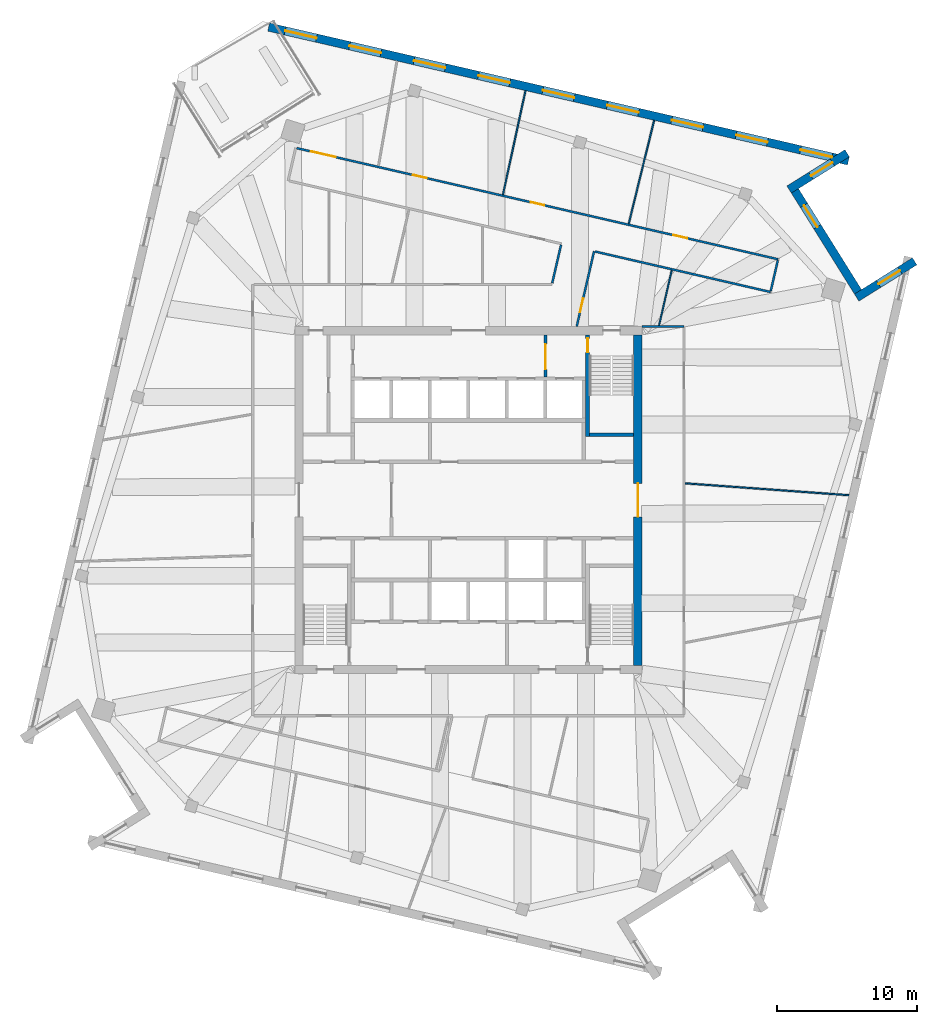
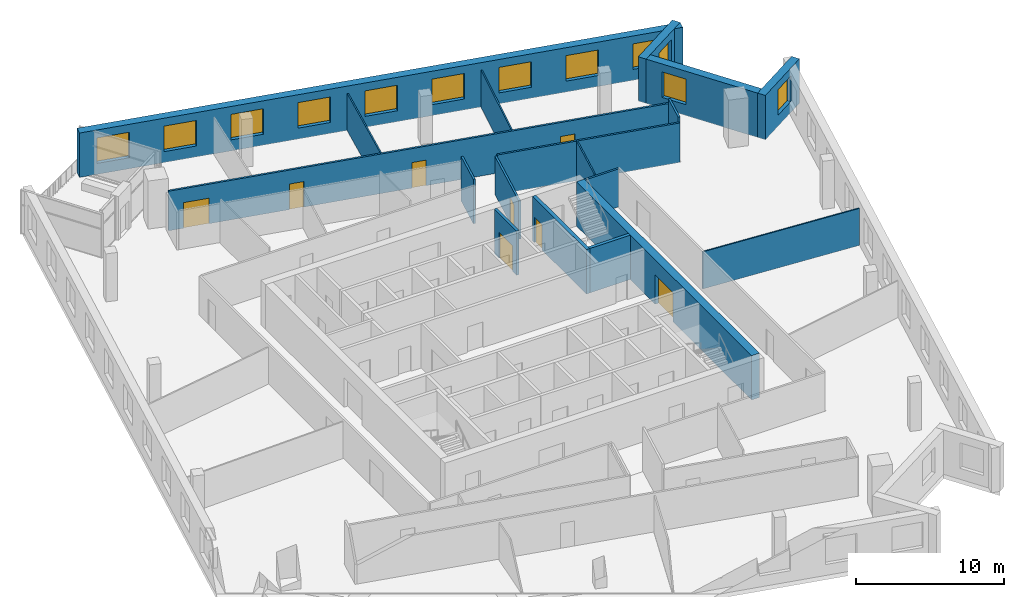
# One storey, part 10 of 14: 18 walls, 12 windows, 8 doors, 20 openings.
"""IFC4 building model written with IfcOpenShell, lengths in metres."""

from ifc_helpers import new_model, si_unit, direction, frame, frame_2d, origin, place, context, subcontext, project, spatial, rectangle, extrude, material, layer, layer_set, type_object, element, fill, save


model = new_model("IFC4")

# Units and contexts
model_context = context("Model", 3, precision=1e-05, world=origin(), true_north=direction((0.0, 1.0)))
body_context = subcontext(model_context, "Body", "Model", "MODEL_VIEW")
ifc_project = project(units=[si_unit("LENGTHUNIT", "METRE"), si_unit("AREAUNIT", "SQUARE_METRE"), si_unit("VOLUMEUNIT", "CUBIC_METRE"), si_unit("PLANEANGLEUNIT", "RADIAN"), si_unit("MASSUNIT", "GRAM", prefix="KILO")], contexts=[model_context])

# Site, building, storey
site_placement = place(None, origin())
site = spatial("IfcSite", under=ifc_project, at=site_placement, CompositionType="ELEMENT")
building_placement = place(site_placement, origin())
building = spatial("IfcBuilding", under=site, at=building_placement, Name="Dilmun Exchange Tower", CompositionType="ELEMENT")
storey_placement = place(building_placement, frame((0.0, 0.0, 332.5)))
storey = spatial("IfcBuildingStorey", under=building, at=storey_placement, Name="L79", CompositionType="ELEMENT", Elevation=332.5)

# Wall, opening, door
ifc_material_1 = material(Name="Concrete C40/50", Category="concrete")
ifc_layer_1 = layer(ifc_material_1, 0.199951171875)
ifc_layer_set_1 = layer_set([ifc_layer_1], Name="Concrete C40/50")
wall_type_1 = type_object("IfcWallType", Name="Core partition wall 200", PredefinedType="PARTITIONING", material=ifc_layer_set_1)
wall_1_placement = place(storey_placement, frame((5.5, 8.804931640625, 0.0), z_axis=(0.0, 0.0, 1.0), x_axis=(0.0, 1.0, 0.0)))
wall_1 = element("IfcWall", 1, at=wall_1_placement, inside=storey, type_object=wall_type_1, Name="L79 core partition wall 20", PredefinedType="PARTITIONING", context=body_context, shape_type="SweptSolid", body=[
    extrude(rectangle(XDim=2.989990234375, YDim=0.199951171875, at=frame_2d((1.4951171875, 0.0))), origin(), (0.0, 0.0, 1.0), 3.64990234375),
])
opening_1_placement = place(wall_1_placement, frame((0.532470703125, 0.0, 0.0)))
opening_1 = element("IfcOpeningElement", 2, at=opening_1_placement, cuts=wall_1, Name="Opening CD5", PredefinedType="OPENING", context=body_context, shape_type="SweptSolid", body=[
    extrude(rectangle(XDim=1.800048828125, YDim=2.10009765625, at=frame_2d((0.89990234375, 1.050048828125))), frame((0.0, 0.10986328125, 0.0), z_axis=(0.0, -1.0, 0.0), x_axis=(1.0, 0.0, 0.0)), (0.0, 0.0, 1.0), 0.219970703125),
])
ifc_material_2 = material(Name="Fire-rated steel door set", Category="steel")
door_type_1 = type_object("IfcDoorType", Name="Stair exit door 1800x2100", OperationType="SINGLE_SWING_LEFT", PredefinedType="DOOR", material=ifc_material_2)
door_1_placement = place(opening_1_placement, origin())
door_1 = element("IfcDoor", 3, at=door_1_placement, inside=storey, type_object=door_type_1, Name="L79 door Lift lobby east", OperationType="SINGLE_SWING_LEFT", OverallHeight=2.10009765625, OverallWidth=1.800048828125, PredefinedType="DOOR", context=body_context, shape_type="SweptSolid", body=[
    extrude(rectangle(XDim=1.800048828125, YDim=2.10009765625, at=frame_2d((0.89990234375, 1.050048828125))), frame((0.0, 0.02490234375, 0.0), z_axis=(0.0, -1.0, 0.0), x_axis=(1.0, 0.0, 0.0)), (0.0, 0.0, 1.0), 0.050048828125),
])
fill(opening_1, door_1)

ifc_material_3 = material(Name="Concrete C50/60", Category="concrete")
ifc_layer_2 = layer(ifc_material_3, 0.60009765625)
ifc_layer_set_2 = layer_set([ifc_layer_2], Name="Concrete C50/60")
wall_type_2 = type_object("IfcWallType", Name="Core shear wall 600 Concrete C50/60", PredefinedType="SHEAR", material=ifc_layer_set_2)
wall_2_placement = place(storey_placement, frame((12.10009765625, -11.800048828125, 0.0), z_axis=(0.0, 0.0, 1.0), x_axis=(0.0, 1.0, 0.0)))
wall_2 = element("IfcWall", 4, at=wall_2_placement, inside=storey, type_object=wall_type_2, Name="L79 core shear wall E", PredefinedType="SHEAR", context=body_context, shape_type="SweptSolid", body=[
    extrude(rectangle(XDim=23.60009765625, YDim=0.60009765625, at=frame_2d((11.800048828125, 0.0))), origin(), (0.0, 0.0, 1.0), 3.64990234375),
])
opening_2_placement = place(wall_2_placement, frame((10.60009765625, 0.0, 0.0)))
opening_2 = element("IfcOpeningElement", 5, at=opening_2_placement, cuts=wall_2, Name="Opening CD1", PredefinedType="OPENING", context=body_context, shape_type="SweptSolid", body=[
    extrude(rectangle(XDim=2.39990234375, YDim=2.39990234375, at=frame_2d((1.199951171875, 1.199951171875))), frame((0.0, 0.31005859375, 0.0), z_axis=(0.0, -1.0, 0.0), x_axis=(1.0, 0.0, 0.0)), (0.0, 0.0, 1.0), 0.6201171875),
])
door_type_2 = type_object("IfcDoorType", Name="Core lobby door 2400x2400", OperationType="DOUBLE_DOOR_DOUBLE_SWING", PredefinedType="DOOR", material=ifc_material_2)
door_2_placement = place(opening_2_placement, origin())
door_2 = element("IfcDoor", 6, at=door_2_placement, inside=storey, type_object=door_type_2, Name="L79 door Central lift lobby", OperationType="SINGLE_SWING_LEFT", OverallHeight=2.39990234375, OverallWidth=2.39990234375, PredefinedType="DOOR", context=body_context, shape_type="SweptSolid", body=[
    extrude(rectangle(XDim=2.39990234375, YDim=2.39990234375, at=frame_2d((1.199951171875, 1.199951171875))), frame((0.0, 0.02490234375, 0.0), z_axis=(0.0, -1.0, 0.0), x_axis=(1.0, 0.0, 0.0)), (0.0, 0.0, 1.0), 0.050048828125),
])
fill(opening_2, door_2)

# Wall, openings, doors
ifc_material_4 = material(Name="Corridor wall 150")
ifc_layer_3 = layer(ifc_material_4, 0.14990234375)
ifc_layer_set_3 = layer_set([ifc_layer_3], Name="Corridor wall 150")
wall_type_3 = type_object("IfcWallType", Name="Corridor wall 150", PredefinedType="PARTITIONING", material=ifc_layer_set_3)
wall_3_placement = place(storey_placement, frame((-12.261962890625, 25.129150390625, 0.0), z_axis=(0.0, 0.0, 1.0), x_axis=(0.974366228137, -0.224967672045, 0.0)))
wall_3 = element("IfcWall", 7, at=wall_3_placement, inside=storey, type_object=wall_type_3, Name="Corridor wall", PredefinedType="PARTITIONING", context=body_context, shape_type="SweptSolid", body=[
    extrude(rectangle(XDim=35.2763671875, YDim=0.14990234375, at=frame_2d((17.63818359375, 0.0))), origin(), (0.0, 0.0, 1.0), 3.25),
])
opening_3_placement = place(wall_3_placement, frame((1.050048828125, 0.0, 0.0)))
opening_3 = element("IfcOpeningElement", 8, at=opening_3_placement, cuts=wall_3, Name="Opening TF79-D04", PredefinedType="OPENING", context=body_context, shape_type="SweptSolid", body=[
    extrude(rectangle(XDim=1.800048828125, YDim=2.10009765625, at=frame_2d((0.89990234375, 1.050048828125))), frame((0.0, 0.0849609375, 0.0), z_axis=(0.0, -1.0, 0.0), x_axis=(1.0, 0.0, 0.0)), (0.0, 0.0, 1.0), 0.169921875),
])
opening_4_placement = place(wall_3_placement, frame((8.524169921875, 0.0, 0.0)))
opening_4 = element("IfcOpeningElement", 9, at=opening_4_placement, cuts=wall_3, Name="Opening TF79-D10", PredefinedType="OPENING", context=body_context, shape_type="SweptSolid", body=[
    extrude(rectangle(XDim=1.0, YDim=2.10009765625, at=frame_2d((0.5, 1.050048828125))), frame((0.0, 0.0849609375, 0.0), z_axis=(0.0, -1.0, 0.0), x_axis=(1.0, 0.0, 0.0)), (0.0, 0.0, 1.0), 0.169921875),
])
opening_5_placement = place(wall_3_placement, frame((17.144287109375, 0.0, 0.0)))
opening_5 = element("IfcOpeningElement", 10, at=opening_5_placement, cuts=wall_3, Name="Opening TF79-D13", PredefinedType="OPENING", context=body_context, shape_type="SweptSolid", body=[
    extrude(rectangle(XDim=1.0, YDim=2.10009765625, at=frame_2d((0.5, 1.050048828125))), frame((0.0, 0.0849609375, 0.0), z_axis=(0.0, -1.0, 0.0), x_axis=(1.0, 0.0, 0.0)), (0.0, 0.0, 1.0), 0.169921875),
])
opening_6_placement = place(wall_3_placement, frame((27.612548828125, 0.0, 0.0)))
opening_6 = element("IfcOpeningElement", 11, at=opening_6_placement, cuts=wall_3, Name="Opening TF79-D19", PredefinedType="OPENING", context=body_context, shape_type="SweptSolid", body=[
    extrude(rectangle(XDim=1.0, YDim=2.10009765625, at=frame_2d((0.5, 1.050048828125))), frame((0.0, 0.0849609375, 0.0), z_axis=(0.0, -1.0, 0.0), x_axis=(1.0, 0.0, 0.0)), (0.0, 0.0, 1.0), 0.169921875),
])
ifc_material_5 = material(Name="Fire door 1000 x 2100")
door_type_3 = type_object("IfcDoorType", Name="Fire door 1000 x 2100", OperationType="NOTDEFINED", PredefinedType="DOOR", material=ifc_material_5)
door_3_placement = place(opening_4_placement, origin())
door_3 = element("IfcDoor", 12, at=door_3_placement, inside=storey, type_object=door_type_3, Name="Door TF79-D10", OperationType="SINGLE_SWING_RIGHT", OverallHeight=2.10009765625, OverallWidth=1.0, PredefinedType="DOOR", context=body_context, shape_type="SweptSolid", body=[
    extrude(rectangle(XDim=1.0, YDim=2.10009765625, at=frame_2d((0.5, 1.050048828125))), frame((0.0, 0.02490234375, 0.0), z_axis=(0.0, -1.0, 0.0), x_axis=(1.0, 0.0, 0.0)), (0.0, 0.0, 1.0), 0.050048828125),
])
fill(opening_4, door_3)
door_4_placement = place(opening_5_placement, origin())
door_4 = element("IfcDoor", 13, at=door_4_placement, inside=storey, type_object=door_type_3, Name="Door TF79-D13", OperationType="SINGLE_SWING_LEFT", OverallHeight=2.10009765625, OverallWidth=1.0, PredefinedType="DOOR", context=body_context, shape_type="SweptSolid", body=[
    extrude(rectangle(XDim=1.0, YDim=2.10009765625, at=frame_2d((0.5, 1.050048828125))), frame((0.0, 0.02490234375, 0.0), z_axis=(0.0, -1.0, 0.0), x_axis=(1.0, 0.0, 0.0)), (0.0, 0.0, 1.0), 0.050048828125),
])
fill(opening_5, door_4)
door_5_placement = place(opening_6_placement, origin())
door_5 = element("IfcDoor", 14, at=door_5_placement, inside=storey, type_object=door_type_3, Name="Door TF79-D19", OperationType="SINGLE_SWING_LEFT", OverallHeight=2.10009765625, OverallWidth=1.0, PredefinedType="DOOR", context=body_context, shape_type="SweptSolid", body=[
    extrude(rectangle(XDim=1.0, YDim=2.10009765625, at=frame_2d((0.5, 1.050048828125))), frame((0.0, 0.02490234375, 0.0), z_axis=(0.0, -1.0, 0.0), x_axis=(1.0, 0.0, 0.0)), (0.0, 0.0, 1.0), 0.050048828125),
])
fill(opening_6, door_5)
ifc_material_6 = material(Name="Fire door pair 1800 x 2100")
door_type_4 = type_object("IfcDoorType", Name="Fire door pair 1800 x 2100", OperationType="NOTDEFINED", PredefinedType="DOOR", material=ifc_material_6)
door_6_placement = place(opening_3_placement, origin())
door_6 = element("IfcDoor", 15, at=door_6_placement, inside=storey, type_object=door_type_4, Name="Door TF79-D04", OperationType="DOUBLE_DOOR_SINGLE_SWING", OverallHeight=2.10009765625, OverallWidth=1.800048828125, PredefinedType="DOOR", context=body_context, shape_type="SweptSolid", body=[
    extrude(rectangle(XDim=1.800048828125, YDim=2.10009765625, at=frame_2d((0.89990234375, 1.050048828125))), frame((0.0, 0.02490234375, 0.0), z_axis=(0.0, -1.0, 0.0), x_axis=(1.0, 0.0, 0.0)), (0.0, 0.0, 1.0), 0.050048828125),
])
fill(opening_3, door_6)

# Wall
wall_4_placement = place(storey_placement, frame((5.981201171875, 15.491943359375, 0.0), z_axis=(0.0, 0.0, 1.0), x_axis=(0.224777043794, 0.97441022192, 0.0)))
element("IfcWall", 16, at=wall_4_placement, inside=storey, type_object=wall_type_3, Name="Corridor wall", PredefinedType="PARTITIONING", context=body_context, shape_type="SweptSolid", body=[
    extrude(rectangle(XDim=2.81103515625, YDim=0.14990234375, at=frame_2d((1.405517578125, 0.0))), origin(), (0.0, 0.0, 1.0), 3.64990234375),
])

# Wall, opening, door
wall_5_placement = place(storey_placement, frame((7.73095703125, 12.39990234375, 0.0), z_axis=(0.0, 0.0, 1.0), x_axis=(0.224891896022, 0.974383720668, 0.0)))
wall_5 = element("IfcWall", 17, at=wall_5_placement, inside=storey, type_object=wall_type_3, Name="Corridor wall", PredefinedType="PARTITIONING", context=body_context, shape_type="SweptSolid", body=[
    extrude(rectangle(XDim=5.505126953125, YDim=0.14990234375, at=frame_2d((2.75244140625, 0.0))), origin(), (0.0, 0.0, 1.0), 3.1298828125),
])
opening_7_placement = place(wall_5_placement, frame((1.050048828125, 0.0, 0.0)))
opening_7 = element("IfcOpeningElement", 18, at=opening_7_placement, cuts=wall_5, Name="Opening TF79-D14", PredefinedType="OPENING", context=body_context, shape_type="SweptSolid", body=[
    extrude(rectangle(XDim=1.0, YDim=2.10009765625, at=frame_2d((0.5, 1.050048828125))), frame((0.0, 0.0849609375, 0.0), z_axis=(0.0, -1.0, 0.0), x_axis=(1.0, 0.0, 0.0)), (0.0, 0.0, 1.0), 0.169921875),
])
door_7_placement = place(opening_7_placement, frame((1.0, 0.0, 0.0), z_axis=(0.0, 0.0, 1.0), x_axis=(-1.0, 0.0, 0.0)))
door_7 = element("IfcDoor", 19, at=door_7_placement, inside=storey, type_object=door_type_3, Name="Door TF79-D14", OperationType="SINGLE_SWING_RIGHT", OverallHeight=2.10009765625, OverallWidth=1.0, PredefinedType="DOOR", context=body_context, shape_type="SweptSolid", body=[
    extrude(rectangle(XDim=1.0, YDim=2.10009765625, at=frame_2d((0.5, 1.050048828125))), frame((0.0, 0.02490234375, 0.0), z_axis=(0.0, -1.0, 0.0), x_axis=(1.0, 0.0, 0.0)), (0.0, 0.0, 1.0), 0.050048828125),
])
fill(opening_7, door_7)

# Walls
wall_6_placement = place(storey_placement, frame((9.0419921875, 17.7470703125, 0.0), z_axis=(0.0, 0.0, 1.0), x_axis=(0.974374231644, -0.224933004931, 0.0)))
element("IfcWall", 20, at=wall_6_placement, inside=storey, type_object=wall_type_3, Name="Corridor wall", PredefinedType="PARTITIONING", context=body_context, shape_type="SweptSolid", body=[
    extrude(rectangle(XDim=12.857666015625, YDim=0.14990234375, at=frame_2d((6.4287109375, 0.0))), origin(), (0.0, 0.0, 1.0), 3.25),
])
wall_7_placement = place(storey_placement, frame((12.39990234375, 12.39990234375, 0.0), z_axis=(0.0, 0.0, 1.0), x_axis=(1.0, 0.0, 0.0)))
element("IfcWall", 21, at=wall_7_placement, inside=storey, type_object=wall_type_3, Name="Corridor wall", PredefinedType="PARTITIONING", context=body_context, shape_type="SweptSolid", body=[
    extrude(rectangle(XDim=3.0, YDim=0.14990234375, at=frame_2d((1.5, 0.0))), origin(), (0.0, 0.0, 1.0), 3.1298828125),
])
wall_8_placement = place(storey_placement, frame((21.5869140625, 14.927978515625, 0.0), z_axis=(0.0, 0.0, 1.0), x_axis=(0.224978397981, 0.974363751605, 0.0)))
element("IfcWall", 22, at=wall_8_placement, inside=storey, type_object=wall_type_3, Name="Corridor wall", PredefinedType="PARTITIONING", context=body_context, shape_type="SweptSolid", body=[
    extrude(rectangle(XDim=2.24951171875, YDim=0.14990234375, at=frame_2d((1.124755859375, 0.0))), origin(), (0.0, 0.0, 1.0), 3.64990234375),
])
ifc_material_7 = material(Name="Partition 100")
ifc_layer_4 = layer(ifc_material_7, 0.10009765625)
ifc_layer_set_4 = layer_set([ifc_layer_4], Name="Partition 100")
wall_type_4 = type_object("IfcWallType", Name="Partition 100", PredefinedType="PARTITIONING", material=ifc_layer_set_4)
wall_9_placement = place(storey_placement, frame((2.4619140625, 21.806884765625, 0.0), z_axis=(0.0, 0.0, 1.0), x_axis=(0.211973327183, 0.977275451735, 0.0)))
element("IfcWall", 23, at=wall_9_placement, inside=storey, type_object=wall_type_4, Name="Partition", PredefinedType="PARTITIONING", context=body_context, shape_type="SweptSolid", body=[
    extrude(rectangle(XDim=7.596923828125, YDim=0.10009765625, at=frame_2d((3.79833984375, 0.0))), origin(), (0.0, 0.0, 1.0), 3.050048828125),
])
wall_10_placement = place(storey_placement, frame((11.445068359375, 19.7333984375, 0.0), z_axis=(0.0, 0.0, 1.0), x_axis=(0.238465178955, 0.971151048203, 0.0)))
element("IfcWall", 24, at=wall_10_placement, inside=storey, type_object=wall_type_4, Name="Partition", PredefinedType="PARTITIONING", context=body_context, shape_type="SweptSolid", body=[
    extrude(rectangle(XDim=7.5966796875, YDim=0.10009765625, at=frame_2d((3.79833984375, 0.0))), origin(), (0.0, 0.0, 1.0), 3.050048828125),
])
wall_11_placement = place(storey_placement, frame((13.61181640625, 12.486083984375, 0.0), z_axis=(0.0, 0.0, 1.0), x_axis=(0.224788589714, 0.974407558435, 0.0)))
element("IfcWall", 25, at=wall_11_placement, inside=storey, type_object=wall_type_4, Name="Partition", PredefinedType="PARTITIONING", context=body_context, shape_type="SweptSolid", body=[
    extrude(rectangle(XDim=4.02294921875, YDim=0.10009765625, at=frame_2d((2.011474609375, 0.0))), origin(), (0.0, 0.0, 1.0), 3.25),
])
wall_12_placement = place(storey_placement, frame((15.478515625, 1.1943359375, 0.0), z_axis=(0.0, 0.0, 1.0), x_axis=(0.997373972888, -0.07242346447, 0.0)))
element("IfcWall", 26, at=wall_12_placement, inside=storey, type_object=wall_type_4, Name="Partition", PredefinedType="PARTITIONING", context=body_context, shape_type="SweptSolid", body=[
    extrude(rectangle(XDim=11.724365234375, YDim=0.10009765625, at=frame_2d((5.8623046875, 0.0))), origin(), (0.0, 0.0, 1.0), 3.050048828125),
])

# Wall, opening, window
ifc_material_8 = material(Name="Precast concrete C50/60", Category="concrete")
ifc_layer_5 = layer(ifc_material_8, 0.60009765625)
ifc_layer_set_5 = layer_set([ifc_layer_5], Name="Precast concrete C50/60")
wall_type_5 = type_object("IfcWallType", Name="Precast stone-clad wall 600", PredefinedType="STANDARD", material=ifc_layer_set_5)
wall_13_placement = place(storey_placement, frame((31.863525390625, 17.046630859375, 0.0), z_axis=(0.0, 0.0, 1.0), x_axis=(-0.848062867364, -0.529895624626, 0.0)))
wall_13 = element("IfcWall", 27, at=wall_13_placement, inside=storey, type_object=wall_type_5, Name="Facade wall L79-12", PredefinedType="STANDARD", context=body_context, shape_type="SweptSolid", body=[
    extrude(rectangle(XDim=4.885498046875, YDim=0.60009765625, at=frame_2d((2.44287109375, 0.0))), origin(), (0.0, 0.0, 1.0), 3.64990234375),
])
opening_8_placement = place(wall_13_placement, frame((1.242919921875, 0.0, 0.89990234375)))
opening_8 = element("IfcOpeningElement", 28, at=opening_8_placement, cuts=wall_13, Name="Opening W180-210", PredefinedType="OPENING", context=body_context, shape_type="SweptSolid", body=[
    extrude(rectangle(XDim=1.800048828125, YDim=2.10009765625, at=frame_2d((0.89990234375, 1.050048828125))), frame((0.0, 0.31005859375, 0.0), z_axis=(0.0, -1.0, 0.0), x_axis=(1.0, 0.0, 0.0)), (0.0, 0.0, 1.0), 0.6201171875),
])
ifc_material_9 = material(Name="Clear low-emissivity glass in aluminium frame", Category="aluminium")
window_type_1 = type_object("IfcWindowType", Name="Punched window 1800 x 2100", PartitioningType="DOUBLE_PANEL_VERTICAL", PredefinedType="WINDOW", material=ifc_material_9)
window_1_placement = place(opening_8_placement, origin())
window_1 = element("IfcWindow", 29, at=window_1_placement, inside=storey, type_object=window_type_1, Name="Window 13.1", OverallHeight=2.10009765625, OverallWidth=1.800048828125, PartitioningType="SINGLE_PANEL", PredefinedType="WINDOW", context=body_context, shape_type="SweptSolid", body=[
    extrude(rectangle(XDim=1.800048828125, YDim=2.10009765625, at=frame_2d((0.89990234375, 1.050048828125))), frame((0.0, 0.030029296875, 0.0), z_axis=(0.0, -1.0, 0.0), x_axis=(1.0, 0.0, 0.0)), (0.0, 0.0, 1.0), 0.06005859375),
])
fill(opening_8, window_1)

wall_14_placement = place(storey_placement, frame((27.815673828125, 14.87109375, 0.0), z_axis=(0.0, 0.0, 1.0), x_axis=(-0.529921485123, 0.848046708387, 0.0)))
wall_14 = element("IfcWall", 30, at=wall_14_placement, inside=storey, type_object=wall_type_5, Name="Facade wall L79-13", PredefinedType="STANDARD", context=body_context, shape_type="SweptSolid", body=[
    extrude(rectangle(XDim=8.5, YDim=0.60009765625, at=frame_2d((4.25, 0.0))), origin(), (0.0, 0.0, 1.0), 3.64990234375),
])
opening_9_placement = place(wall_14_placement, frame((5.47509765625, 0.0, 0.89990234375)))
opening_9 = element("IfcOpeningElement", 31, at=opening_9_placement, cuts=wall_14, Name="Opening W180-210", PredefinedType="OPENING", context=body_context, shape_type="SweptSolid", body=[
    extrude(rectangle(XDim=1.800048828125, YDim=2.10009765625, at=frame_2d((0.89990234375, 1.050048828125))), frame((0.0, 0.31005859375, 0.0), z_axis=(0.0, -1.0, 0.0), x_axis=(1.0, 0.0, 0.0)), (0.0, 0.0, 1.0), 0.6201171875),
])
window_2_placement = place(opening_9_placement, origin())
window_2 = element("IfcWindow", 32, at=window_2_placement, inside=storey, type_object=window_type_1, Name="Window 14.2", OverallHeight=2.10009765625, OverallWidth=1.800048828125, PartitioningType="SINGLE_PANEL", PredefinedType="WINDOW", context=body_context, shape_type="SweptSolid", body=[
    extrude(rectangle(XDim=1.800048828125, YDim=2.10009765625, at=frame_2d((0.89990234375, 1.050048828125))), frame((0.0, 0.030029296875, 0.0), z_axis=(0.0, -1.0, 0.0), x_axis=(1.0, 0.0, 0.0)), (0.0, 0.0, 1.0), 0.06005859375),
])
fill(opening_9, window_2)

wall_15_placement = place(storey_placement, frame((22.89794921875, 22.1748046875, 0.0), z_axis=(0.0, 0.0, 1.0), x_axis=(0.848040410856, 0.529931563086, 0.0)))
wall_15 = element("IfcWall", 33, at=wall_15_placement, inside=storey, type_object=wall_type_5, Name="Facade wall L79-14", PredefinedType="STANDARD", context=body_context, shape_type="SweptSolid", body=[
    extrude(rectangle(XDim=4.8857421875, YDim=0.60009765625, at=frame_2d((2.44287109375, 0.0))), origin(), (0.0, 0.0, 1.0), 3.64990234375),
])
opening_10_placement = place(wall_15_placement, frame((1.8427734375, 0.0, 0.89990234375)))
opening_10 = element("IfcOpeningElement", 34, at=opening_10_placement, cuts=wall_15, Name="Opening W180-210", PredefinedType="OPENING", context=body_context, shape_type="SweptSolid", body=[
    extrude(rectangle(XDim=1.800048828125, YDim=2.10009765625, at=frame_2d((0.89990234375, 1.050048828125))), frame((0.0, 0.31005859375, 0.0), z_axis=(0.0, -1.0, 0.0), x_axis=(1.0, 0.0, 0.0)), (0.0, 0.0, 1.0), 0.6201171875),
])
window_3_placement = place(opening_10_placement, origin())
window_3 = element("IfcWindow", 35, at=window_3_placement, inside=storey, type_object=window_type_1, Name="Window 15.1", OverallHeight=2.10009765625, OverallWidth=1.800048828125, PartitioningType="SINGLE_PANEL", PredefinedType="WINDOW", context=body_context, shape_type="SweptSolid", body=[
    extrude(rectangle(XDim=1.800048828125, YDim=2.10009765625, at=frame_2d((0.89990234375, 1.050048828125))), frame((0.0, 0.030029296875, 0.0), z_axis=(0.0, -1.0, 0.0), x_axis=(1.0, 0.0, 0.0)), (0.0, 0.0, 1.0), 0.06005859375),
])
fill(opening_10, window_3)

# Wall, openings, windows
wall_16_placement = place(storey_placement, frame((27.1328125, 24.21728515625, 0.0), z_axis=(0.0, 0.0, 1.0), x_axis=(-0.974371242637, 0.224945952446, 0.0)))
wall_16 = element("IfcWall", 36, at=wall_16_placement, inside=storey, type_object=wall_type_5, Name="Facade wall L79-15", PredefinedType="STANDARD", context=body_context, shape_type="SweptSolid", body=[
    extrude(rectangle(XDim=42.489501953125, YDim=0.60009765625, at=frame_2d((21.24462890625, 0.0))), origin(), (0.0, 0.0, 1.0), 3.64990234375),
])
opening_11_placement = place(wall_16_placement, frame((1.21044921875, 0.0, 0.89990234375)))
opening_11 = element("IfcOpeningElement", 37, at=opening_11_placement, cuts=wall_16, Name="Opening W230-210", PredefinedType="OPENING", context=body_context, shape_type="SweptSolid", body=[
    extrude(rectangle(XDim=2.300048828125, YDim=2.10009765625, at=frame_2d((1.14990234375, 1.050048828125))), frame((0.0, 0.31005859375, 0.0), z_axis=(0.0, -1.0, 0.0), x_axis=(1.0, 0.0, 0.0)), (0.0, 0.0, 1.0), 0.6201171875),
])
opening_12_placement = place(wall_16_placement, frame((5.931640625, 0.0, 0.89990234375)))
opening_12 = element("IfcOpeningElement", 38, at=opening_12_placement, cuts=wall_16, Name="Opening W230-210", PredefinedType="OPENING", context=body_context, shape_type="SweptSolid", body=[
    extrude(rectangle(XDim=2.300048828125, YDim=2.10009765625, at=frame_2d((1.14990234375, 1.050048828125))), frame((0.0, 0.31005859375, 0.0), z_axis=(0.0, -1.0, 0.0), x_axis=(1.0, 0.0, 0.0)), (0.0, 0.0, 1.0), 0.6201171875),
])
opening_13_placement = place(wall_16_placement, frame((10.652587890625, 0.0, 0.89990234375)))
opening_13 = element("IfcOpeningElement", 39, at=opening_13_placement, cuts=wall_16, Name="Opening W230-210", PredefinedType="OPENING", context=body_context, shape_type="SweptSolid", body=[
    extrude(rectangle(XDim=2.300048828125, YDim=2.10009765625, at=frame_2d((1.14990234375, 1.050048828125))), frame((0.0, 0.31005859375, 0.0), z_axis=(0.0, -1.0, 0.0), x_axis=(1.0, 0.0, 0.0)), (0.0, 0.0, 1.0), 0.6201171875),
])
opening_14_placement = place(wall_16_placement, frame((15.373779296875, 0.0, 0.89990234375)))
opening_14 = element("IfcOpeningElement", 40, at=opening_14_placement, cuts=wall_16, Name="Opening W230-210", PredefinedType="OPENING", context=body_context, shape_type="SweptSolid", body=[
    extrude(rectangle(XDim=2.300048828125, YDim=2.10009765625, at=frame_2d((1.14990234375, 1.050048828125))), frame((0.0, 0.31005859375, 0.0), z_axis=(0.0, -1.0, 0.0), x_axis=(1.0, 0.0, 0.0)), (0.0, 0.0, 1.0), 0.6201171875),
])
opening_15_placement = place(wall_16_placement, frame((20.0947265625, 0.0, 0.89990234375)))
opening_15 = element("IfcOpeningElement", 41, at=opening_15_placement, cuts=wall_16, Name="Opening W230-210", PredefinedType="OPENING", context=body_context, shape_type="SweptSolid", body=[
    extrude(rectangle(XDim=2.300048828125, YDim=2.10009765625, at=frame_2d((1.14990234375, 1.050048828125))), frame((0.0, 0.31005859375, 0.0), z_axis=(0.0, -1.0, 0.0), x_axis=(1.0, 0.0, 0.0)), (0.0, 0.0, 1.0), 0.6201171875),
])
opening_16_placement = place(wall_16_placement, frame((24.81591796875, 0.0, 0.89990234375)))
opening_16 = element("IfcOpeningElement", 42, at=opening_16_placement, cuts=wall_16, Name="Opening W230-210", PredefinedType="OPENING", context=body_context, shape_type="SweptSolid", body=[
    extrude(rectangle(XDim=2.300048828125, YDim=2.10009765625, at=frame_2d((1.14990234375, 1.050048828125))), frame((0.0, 0.31005859375, 0.0), z_axis=(0.0, -1.0, 0.0), x_axis=(1.0, 0.0, 0.0)), (0.0, 0.0, 1.0), 0.6201171875),
])
opening_17_placement = place(wall_16_placement, frame((29.536865234375, 0.0, 0.89990234375)))
opening_17 = element("IfcOpeningElement", 43, at=opening_17_placement, cuts=wall_16, Name="Opening W230-210", PredefinedType="OPENING", context=body_context, shape_type="SweptSolid", body=[
    extrude(rectangle(XDim=2.300048828125, YDim=2.10009765625, at=frame_2d((1.14990234375, 1.050048828125))), frame((0.0, 0.31005859375, 0.0), z_axis=(0.0, -1.0, 0.0), x_axis=(1.0, 0.0, 0.0)), (0.0, 0.0, 1.0), 0.6201171875),
])
opening_18_placement = place(wall_16_placement, frame((34.258056640625, 0.0, 0.89990234375)))
opening_18 = element("IfcOpeningElement", 44, at=opening_18_placement, cuts=wall_16, Name="Opening W230-210", PredefinedType="OPENING", context=body_context, shape_type="SweptSolid", body=[
    extrude(rectangle(XDim=2.300048828125, YDim=2.10009765625, at=frame_2d((1.14990234375, 1.050048828125))), frame((0.0, 0.31005859375, 0.0), z_axis=(0.0, -1.0, 0.0), x_axis=(1.0, 0.0, 0.0)), (0.0, 0.0, 1.0), 0.6201171875),
])
opening_19_placement = place(wall_16_placement, frame((38.97900390625, 0.0, 0.89990234375)))
opening_19 = element("IfcOpeningElement", 45, at=opening_19_placement, cuts=wall_16, Name="Opening W230-210", PredefinedType="OPENING", context=body_context, shape_type="SweptSolid", body=[
    extrude(rectangle(XDim=2.300048828125, YDim=2.10009765625, at=frame_2d((1.14990234375, 1.050048828125))), frame((0.0, 0.31005859375, 0.0), z_axis=(0.0, -1.0, 0.0), x_axis=(1.0, 0.0, 0.0)), (0.0, 0.0, 1.0), 0.6201171875),
])
window_type_2 = type_object("IfcWindowType", Name="Punched window 2300 x 2100", PartitioningType="DOUBLE_PANEL_VERTICAL", PredefinedType="WINDOW", material=ifc_material_9)
window_4_placement = place(opening_11_placement, origin())
window_4 = element("IfcWindow", 46, at=window_4_placement, inside=storey, type_object=window_type_2, Name="Window 16.1", OverallHeight=2.10009765625, OverallWidth=2.300048828125, PartitioningType="SINGLE_PANEL", PredefinedType="WINDOW", context=body_context, shape_type="SweptSolid", body=[
    extrude(rectangle(XDim=2.300048828125, YDim=2.10009765625, at=frame_2d((1.14990234375, 1.050048828125))), frame((0.0, 0.030029296875, 0.0), z_axis=(0.0, -1.0, 0.0), x_axis=(1.0, 0.0, 0.0)), (0.0, 0.0, 1.0), 0.06005859375),
])
fill(opening_11, window_4)
window_5_placement = place(opening_12_placement, origin())
window_5 = element("IfcWindow", 47, at=window_5_placement, inside=storey, type_object=window_type_2, Name="Window 16.2", OverallHeight=2.10009765625, OverallWidth=2.300048828125, PartitioningType="SINGLE_PANEL", PredefinedType="WINDOW", context=body_context, shape_type="SweptSolid", body=[
    extrude(rectangle(XDim=2.300048828125, YDim=2.10009765625, at=frame_2d((1.14990234375, 1.050048828125))), frame((0.0, 0.030029296875, 0.0), z_axis=(0.0, -1.0, 0.0), x_axis=(1.0, 0.0, 0.0)), (0.0, 0.0, 1.0), 0.06005859375),
])
fill(opening_12, window_5)
window_6_placement = place(opening_13_placement, origin())
window_6 = element("IfcWindow", 48, at=window_6_placement, inside=storey, type_object=window_type_2, Name="Window 16.3", OverallHeight=2.10009765625, OverallWidth=2.300048828125, PartitioningType="SINGLE_PANEL", PredefinedType="WINDOW", context=body_context, shape_type="SweptSolid", body=[
    extrude(rectangle(XDim=2.300048828125, YDim=2.10009765625, at=frame_2d((1.14990234375, 1.050048828125))), frame((0.0, 0.030029296875, 0.0), z_axis=(0.0, -1.0, 0.0), x_axis=(1.0, 0.0, 0.0)), (0.0, 0.0, 1.0), 0.06005859375),
])
fill(opening_13, window_6)
window_7_placement = place(opening_14_placement, origin())
window_7 = element("IfcWindow", 49, at=window_7_placement, inside=storey, type_object=window_type_2, Name="Window 16.4", OverallHeight=2.10009765625, OverallWidth=2.300048828125, PartitioningType="SINGLE_PANEL", PredefinedType="WINDOW", context=body_context, shape_type="SweptSolid", body=[
    extrude(rectangle(XDim=2.300048828125, YDim=2.10009765625, at=frame_2d((1.14990234375, 1.050048828125))), frame((0.0, 0.030029296875, 0.0), z_axis=(0.0, -1.0, 0.0), x_axis=(1.0, 0.0, 0.0)), (0.0, 0.0, 1.0), 0.06005859375),
])
fill(opening_14, window_7)
window_8_placement = place(opening_15_placement, origin())
window_8 = element("IfcWindow", 50, at=window_8_placement, inside=storey, type_object=window_type_2, Name="Window 16.5", OverallHeight=2.10009765625, OverallWidth=2.300048828125, PartitioningType="SINGLE_PANEL", PredefinedType="WINDOW", context=body_context, shape_type="SweptSolid", body=[
    extrude(rectangle(XDim=2.300048828125, YDim=2.10009765625, at=frame_2d((1.14990234375, 1.050048828125))), frame((0.0, 0.030029296875, 0.0), z_axis=(0.0, -1.0, 0.0), x_axis=(1.0, 0.0, 0.0)), (0.0, 0.0, 1.0), 0.06005859375),
])
fill(opening_15, window_8)
window_9_placement = place(opening_16_placement, origin())
window_9 = element("IfcWindow", 51, at=window_9_placement, inside=storey, type_object=window_type_2, Name="Window 16.6", OverallHeight=2.10009765625, OverallWidth=2.300048828125, PartitioningType="SINGLE_PANEL", PredefinedType="WINDOW", context=body_context, shape_type="SweptSolid", body=[
    extrude(rectangle(XDim=2.300048828125, YDim=2.10009765625, at=frame_2d((1.14990234375, 1.050048828125))), frame((0.0, 0.030029296875, 0.0), z_axis=(0.0, -1.0, 0.0), x_axis=(1.0, 0.0, 0.0)), (0.0, 0.0, 1.0), 0.06005859375),
])
fill(opening_16, window_9)
window_10_placement = place(opening_17_placement, origin())
window_10 = element("IfcWindow", 52, at=window_10_placement, inside=storey, type_object=window_type_2, Name="Window 16.7", OverallHeight=2.10009765625, OverallWidth=2.300048828125, PartitioningType="SINGLE_PANEL", PredefinedType="WINDOW", context=body_context, shape_type="SweptSolid", body=[
    extrude(rectangle(XDim=2.300048828125, YDim=2.10009765625, at=frame_2d((1.14990234375, 1.050048828125))), frame((0.0, 0.030029296875, 0.0), z_axis=(0.0, -1.0, 0.0), x_axis=(1.0, 0.0, 0.0)), (0.0, 0.0, 1.0), 0.06005859375),
])
fill(opening_17, window_10)
window_11_placement = place(opening_18_placement, origin())
window_11 = element("IfcWindow", 53, at=window_11_placement, inside=storey, type_object=window_type_2, Name="Window 16.8", OverallHeight=2.10009765625, OverallWidth=2.300048828125, PartitioningType="SINGLE_PANEL", PredefinedType="WINDOW", context=body_context, shape_type="SweptSolid", body=[
    extrude(rectangle(XDim=2.300048828125, YDim=2.10009765625, at=frame_2d((1.14990234375, 1.050048828125))), frame((0.0, 0.030029296875, 0.0), z_axis=(0.0, -1.0, 0.0), x_axis=(1.0, 0.0, 0.0)), (0.0, 0.0, 1.0), 0.06005859375),
])
fill(opening_18, window_11)
window_12_placement = place(opening_19_placement, origin())
window_12 = element("IfcWindow", 54, at=window_12_placement, inside=storey, type_object=window_type_2, Name="Window 16.9", OverallHeight=2.10009765625, OverallWidth=2.300048828125, PartitioningType="SINGLE_PANEL", PredefinedType="WINDOW", context=body_context, shape_type="SweptSolid", body=[
    extrude(rectangle(XDim=2.300048828125, YDim=2.10009765625, at=frame_2d((1.14990234375, 1.050048828125))), frame((0.0, 0.030029296875, 0.0), z_axis=(0.0, -1.0, 0.0), x_axis=(1.0, 0.0, 0.0)), (0.0, 0.0, 1.0), 0.06005859375),
])
fill(opening_19, window_12)

# Wall
ifc_layer_6 = layer(ifc_material_1, 0.25)
ifc_layer_set_6 = layer_set([ifc_layer_6], Name="Concrete C40/50")
wall_type_6 = type_object("IfcWallType", Name="Stair end wall 250", PredefinedType="SOLIDWALL", material=ifc_layer_set_6)
wall_17_placement = place(storey_placement, frame((8.64990234375, 4.675048828125, 0.0), z_axis=(0.0, 0.0, 1.0), x_axis=(1.0, 0.0, 0.0)))
element("IfcWall", 55, at=wall_17_placement, inside=storey, type_object=wall_type_6, Name="L79 ST1 far wall", PredefinedType="SOLIDWALL", context=body_context, shape_type="SweptSolid", body=[
    extrude(rectangle(XDim=3.150146484375, YDim=0.25, at=frame_2d((1.5751953125, 0.0))), origin(), (0.0, 0.0, 1.0), 3.64990234375),
])

# Wall, opening, door
ifc_layer_7 = layer(ifc_material_1, 0.27490234375)
ifc_layer_set_7 = layer_set([ifc_layer_7], Name="Concrete C40/50")
wall_type_7 = type_object("IfcWallType", Name="Stair wall 275", PredefinedType="SOLIDWALL", material=ifc_layer_set_7)
wall_18_placement = place(storey_placement, frame((8.512451171875, 4.550048828125, 0.0), z_axis=(0.0, 0.0, 1.0), x_axis=(0.0, 1.0, 0.0)))
wall_18 = element("IfcWall", 56, at=wall_18_placement, inside=storey, type_object=wall_type_7, Name="L79 ST1 wall to lift block", PredefinedType="SOLIDWALL", context=body_context, shape_type="SweptSolid", body=[
    extrude(rectangle(XDim=7.25, YDim=0.27490234375, at=frame_2d((3.625, 0.0))), origin(), (0.0, 0.0, 1.0), 3.64990234375),
])
opening_20_placement = place(wall_18_placement, frame((6.0, 0.0, 0.0)))
opening_20 = element("IfcOpeningElement", 57, at=opening_20_placement, cuts=wall_18, Name="Opening CD4", PredefinedType="OPENING", context=body_context, shape_type="SweptSolid", body=[
    extrude(rectangle(XDim=1.0, YDim=2.10009765625, at=frame_2d((0.5, 1.050048828125))), frame((0.0, 0.1474609375, 0.0), z_axis=(0.0, -1.0, 0.0), x_axis=(1.0, 0.0, 0.0)), (0.0, 0.0, 1.0), 0.294921875),
])
door_type_5 = type_object("IfcDoorType", Name="Core room door 1000x2100", OperationType="SINGLE_SWING_LEFT", PredefinedType="DOOR", material=ifc_material_2)
door_8_placement = place(opening_20_placement, origin())
door_8 = element("IfcDoor", 58, at=door_8_placement, inside=storey, type_object=door_type_5, Name="L79 door ST1 from lobby", OperationType="SINGLE_SWING_LEFT", OverallHeight=2.10009765625, OverallWidth=1.0, PredefinedType="DOOR", context=body_context, shape_type="SweptSolid", body=[
    extrude(rectangle(XDim=1.0, YDim=2.10009765625, at=frame_2d((0.5, 1.050048828125))), frame((0.0, 0.02490234375, 0.0), z_axis=(0.0, -1.0, 0.0), x_axis=(1.0, 0.0, 0.0)), (0.0, 0.0, 1.0), 0.050048828125),
])
fill(opening_20, door_8)

save(model, "model.ifc")
